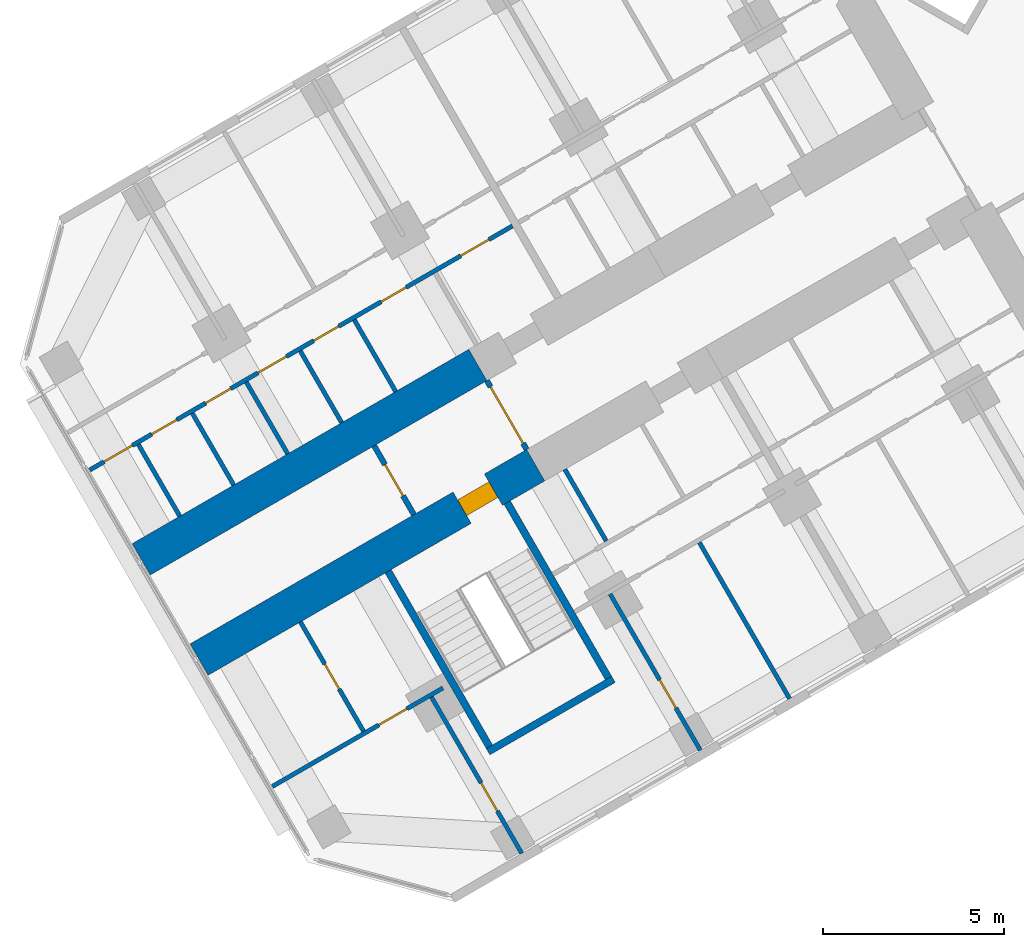
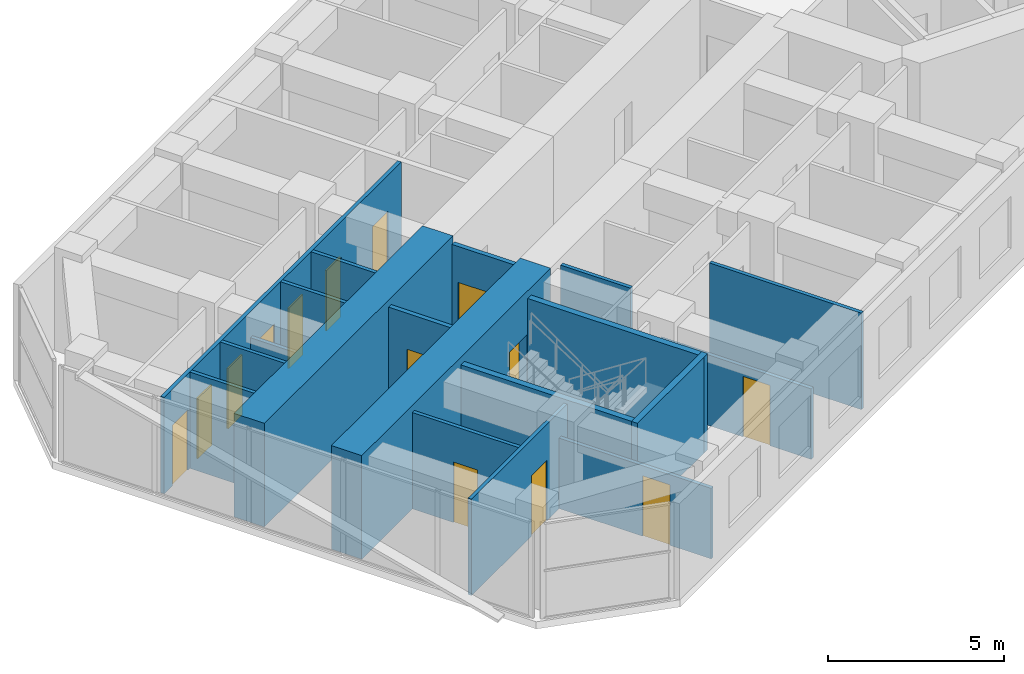
# One storey, part 10 of 22: 19 walls, 14 doors, 14 openings.
"""IFC4 building model written with IfcOpenShell, lengths in metres."""

from ifc_helpers import new_model, si_unit, direction, frame, frame_2d, origin, place, context, subcontext, project, spatial, rectangle, extrude, material, layer, layer_set, type_object, element, fill, save


model = new_model("IFC4")

# Units and contexts
model_context = context("Model", 3, precision=1e-05, world=origin(), true_north=direction((0.0, 1.0)))
body_context = subcontext(model_context, "Body", "Model", "MODEL_VIEW")
ifc_project = project(units=[si_unit("LENGTHUNIT", "METRE"), si_unit("AREAUNIT", "SQUARE_METRE"), si_unit("VOLUMEUNIT", "CUBIC_METRE"), si_unit("PLANEANGLEUNIT", "RADIAN"), si_unit("MASSUNIT", "GRAM", prefix="KILO")], contexts=[model_context])

# Site, building, storey
site_placement = place(None, origin())
site = spatial("IfcSite", under=ifc_project, at=site_placement, CompositionType="ELEMENT")
building_placement = place(site_placement, origin())
building = spatial("IfcBuilding", under=site, at=building_placement, Name="Kosmar Iwan School Tower", CompositionType="ELEMENT")
storey_placement = place(building_placement, frame((0.0, 0.0, 95.199951171875)))
storey = spatial("IfcBuildingStorey", under=building, at=storey_placement, Name="L23", CompositionType="ELEMENT", Elevation=95.199951171875)

# Wall, opening, door
ifc_material_1 = material(Name="Concrete C50/60", Category="concrete")
ifc_layer_1 = layer(ifc_material_1, 1.0)
ifc_layer_set_1 = layer_set([ifc_layer_1], Name="Corridor buttress wall 1000")
wall_type_1 = type_object("IfcWallType", Name="Corridor buttress wall 1000", PredefinedType="SHEAR", material=ifc_layer_set_1)
wall_1_placement = place(storey_placement, frame((-19.681396484375, -13.210693359375, 0.0), z_axis=(0.0, 0.0, 1.0), x_axis=(-0.866028186671, -0.499995179869, 0.0)))
wall_1 = element("IfcWall", 1, at=wall_1_placement, inside=storey, type_object=wall_type_1, Name="Corridor wall BL bay 3", PredefinedType="SHEAR", context=body_context, shape_type="SweptSolid", body=[
    extrude(rectangle(XDim=10.7451171875, YDim=1.0, at=frame_2d((5.37255859375, 0.0))), origin(), (0.0, 0.0, 1.0), 3.60009765625),
])
opening_1_placement = place(wall_1_placement, frame((1.35009765625, 0.0, 0.0)))
opening_1 = element("IfcOpeningElement", 2, at=opening_1_placement, cuts=wall_1, Name="Opening D6", PredefinedType="OPENING", context=body_context, shape_type="SweptSolid", body=[
    extrude(rectangle(XDim=1.0, YDim=2.10009765625, at=frame_2d((0.5, 1.050048828125))), frame((0.0, 0.511962890625, 0.0), z_axis=(0.0, -1.0, 0.0), x_axis=(1.0, 0.0, 0.0)), (0.0, 0.0, 1.0), 1.02392578125),
])
ifc_material_2 = material(Name="Steel fire door", Category="steel")
door_type_1 = type_object("IfcDoorType", Name="Stair door 1000x2100", OperationType="SINGLE_SWING_LEFT", PredefinedType="DOOR", material=ifc_material_2)
door_1_placement = place(opening_1_placement, origin())
door_1 = element("IfcDoor", 3, at=door_1_placement, inside=storey, type_object=door_type_1, Name="Stair WS2 door L23", OperationType="SINGLE_SWING_LEFT", OverallHeight=2.10009765625, OverallWidth=1.0, PredefinedType="DOOR", context=body_context, shape_type="SweptSolid", body=[
    extrude(rectangle(XDim=1.0, YDim=2.10009765625, at=frame_2d((0.5, 1.050048828125))), frame((0.0, 0.25, 0.0), z_axis=(0.0, -1.0, 0.0), x_axis=(1.0, 0.0, 0.0)), (0.0, 0.0, 1.0), 0.5),
])
fill(opening_1, door_1)

# Wall
wall_2_placement = place(storey_placement, frame((-21.281494140625, -10.439453125, 0.0), z_axis=(0.0, 0.0, 1.0), x_axis=(-0.866032345022, -0.499987977232, 0.0)))
element("IfcWall", 4, at=wall_2_placement, inside=storey, type_object=wall_type_1, Name="Corridor wall BR bay 3", PredefinedType="SHEAR", context=body_context, shape_type="SweptSolid", body=[
    extrude(rectangle(XDim=10.744873046875, YDim=1.0, at=frame_2d((5.37255859375, 0.0))), origin(), (0.0, 0.0, 1.0), 3.60009765625),
])

# Wall, opening, door
ifc_material_3 = material(Name="Gypsum board on steel studs, fire-rated", Category="steel")
ifc_layer_2 = layer(ifc_material_3, 0.14990234375)
ifc_layer_set_2 = layer_set([ifc_layer_2], Name="Corridor end wall 150")
wall_type_2 = type_object("IfcWallType", Name="Corridor end wall 150", PredefinedType="PARTITIONING", material=ifc_layer_set_2)
wall_3_placement = place(storey_placement, frame((-24.149169921875, -12.67236328125, 0.0), z_axis=(0.0, 0.0, 1.0), x_axis=(0.50002983664, -0.866008176907, 0.0)))
wall_3 = element("IfcWall", 5, at=wall_3_placement, inside=storey, type_object=wall_type_2, Name="Partition L23-B-CE", PredefinedType="PARTITIONING", context=body_context, shape_type="SweptSolid", body=[
    extrude(rectangle(XDim=2.199951171875, YDim=0.14990234375, at=frame_2d((1.10009765625, 0.0))), origin(), (0.0, 0.0, 1.0), 3.35009765625),
])
opening_2_placement = place(wall_3_placement, frame((0.60009765625, 0.0, 0.0)))
opening_2 = element("IfcOpeningElement", 6, at=opening_2_placement, cuts=wall_3, Name="Opening D13", PredefinedType="OPENING", context=body_context, shape_type="SweptSolid", body=[
    extrude(rectangle(XDim=1.0, YDim=2.10009765625, at=frame_2d((0.5, 1.050048828125))), frame((0.0, 0.0869140625, 0.0), z_axis=(0.0, -1.0, 0.0), x_axis=(1.0, 0.0, 0.0)), (0.0, 0.0, 1.0), 0.173828125),
])
ifc_material_4 = material(Name="Timber fire door with vision panel", Category="wood")
door_type_2 = type_object("IfcDoorType", Name="Corridor end door 1000x2100", OperationType="SINGLE_SWING_LEFT", PredefinedType="DOOR", material=ifc_material_4)
door_2_placement = place(opening_2_placement, origin())
door_2 = element("IfcDoor", 7, at=door_2_placement, inside=storey, type_object=door_type_2, Name="Reading room door L23-B", OperationType="SINGLE_SWING_LEFT", OverallHeight=2.10009765625, OverallWidth=1.0, PredefinedType="DOOR", context=body_context, shape_type="SweptSolid", body=[
    extrude(rectangle(XDim=1.0, YDim=2.10009765625, at=frame_2d((0.5, 1.050048828125))), frame((0.0, 0.02490234375, 0.0), z_axis=(0.0, -1.0, 0.0), x_axis=(1.0, 0.0, 0.0)), (0.0, 0.0, 1.0), 0.050048828125),
])
fill(opening_2, door_2)

wall_4_placement = place(storey_placement, frame((-21.031494140625, -10.872314453125, 0.0), z_axis=(0.0, 0.0, 1.0), x_axis=(0.50002983664, -0.866008176907, 0.0)))
wall_4 = element("IfcWall", 8, at=wall_4_placement, inside=storey, type_object=wall_type_2, Name="Partition L23-B-HW", PredefinedType="PARTITIONING", context=body_context, shape_type="SweptSolid", body=[
    extrude(rectangle(XDim=2.199951171875, YDim=0.14990234375, at=frame_2d((1.10009765625, 0.0))), origin(), (0.0, 0.0, 1.0), 3.35009765625),
])
opening_3_placement = place(wall_4_placement, frame((0.199951171875, 0.0, 0.0)))
opening_3 = element("IfcOpeningElement", 9, at=opening_3_placement, cuts=wall_4, Name="Opening D9", PredefinedType="OPENING", context=body_context, shape_type="SweptSolid", body=[
    extrude(rectangle(XDim=1.800048828125, YDim=2.10009765625, at=frame_2d((0.89990234375, 1.050048828125))), frame((0.0, 0.0869140625, 0.0), z_axis=(0.0, -1.0, 0.0), x_axis=(1.0, 0.0, 0.0)), (0.0, 0.0, 1.0), 0.173828125),
])
ifc_material_5 = material(Name="Steel framed glazed smoke door", Category="steel")
door_type_3 = type_object("IfcDoorType", Name="Corridor smoke door pair 1800x2100", OperationType="DOUBLE_DOOR_DOUBLE_SWING", PredefinedType="DOOR", material=ifc_material_5)
door_3_placement = place(opening_3_placement, origin())
door_3 = element("IfcDoor", 10, at=door_3_placement, inside=storey, type_object=door_type_3, Name="Entrance vestibule smoke doors L23-B", OperationType="DOUBLE_DOOR_DOUBLE_SWING", OverallHeight=2.10009765625, OverallWidth=1.800048828125, PredefinedType="DOOR", context=body_context, shape_type="SweptSolid", body=[
    extrude(rectangle(XDim=1.800048828125, YDim=2.10009765625, at=frame_2d((0.89990234375, 1.050048828125))), frame((0.0, 0.02490234375, 0.0), z_axis=(0.0, -1.0, 0.0), x_axis=(1.0, 0.0, 0.0)), (0.0, 0.0, 1.0), 0.050048828125),
])
fill(opening_3, door_3)

# Walls
ifc_material_6 = material(Name="Gypsum board on steel studs", Category="steel")
ifc_layer_3 = layer(ifc_material_6, 0.1201171875)
ifc_layer_set_3 = layer_set([ifc_layer_3], Name="Dwelling partition 120")
wall_type_3 = type_object("IfcWallType", Name="Dwelling partition 120", PredefinedType="PARTITIONING", material=ifc_layer_set_3)
wall_5_placement = place(storey_placement, frame((-15.158447265625, -15.344970703125, 0.0), z_axis=(0.0, 0.0, 1.0), x_axis=(0.500011847778, -0.866018563358, 0.0)))
element("IfcWall", 11, at=wall_5_placement, inside=storey, type_object=wall_type_3, Name="Partition L23-BL2-X1", PredefinedType="PARTITIONING", context=body_context, shape_type="SweptSolid", body=[
    extrude(rectangle(XDim=4.990234375, YDim=0.1201171875, at=frame_2d((2.4951171875, 0.0))), origin(), (0.0, 0.0, 1.0), 3.35009765625),
])
wall_6_placement = place(storey_placement, frame((-18.877197265625, -13.32373046875, 0.0), z_axis=(0.0, 0.0, 1.0), x_axis=(0.500014693593, -0.866016920268, 0.0)))
element("IfcWall", 12, at=wall_6_placement, inside=storey, type_object=wall_type_3, Name="Partition L23-BL2-Y2", PredefinedType="PARTITIONING", context=body_context, shape_type="SweptSolid", body=[
    extrude(rectangle(XDim=2.2900390625, YDim=0.1201171875, at=frame_2d((1.14501953125, 0.0))), origin(), (0.0, 0.0, 1.0), 3.35009765625),
])

# Wall, opening, door
wall_7_placement = place(storey_placement, frame((-17.62646484375, -16.77001953125, 0.0), z_axis=(0.0, 0.0, 1.0), x_axis=(0.499975153383, -0.86603974851, 0.0)))
wall_7 = element("IfcWall", 13, at=wall_7_placement, inside=storey, type_object=wall_type_3, Name="Partition L23-BL2-TB", PredefinedType="PARTITIONING", context=body_context, shape_type="SweptSolid", body=[
    extrude(rectangle(XDim=4.989990234375, YDim=0.1201171875, at=frame_2d((2.4951171875, 0.0))), origin(), (0.0, 0.0, 1.0), 2.449951171875),
])
opening_4_placement = place(wall_7_placement, frame((2.739990234375, 0.0, 0.0)))
opening_4 = element("IfcOpeningElement", 14, at=opening_4_placement, cuts=wall_7, Name="Opening D2", PredefinedType="OPENING", context=body_context, shape_type="SweptSolid", body=[
    extrude(rectangle(XDim=0.89990234375, YDim=2.10009765625, at=frame_2d((0.449951171875, 1.050048828125))), frame((0.0, 0.072021484375, 0.0), z_axis=(0.0, -1.0, 0.0), x_axis=(1.0, 0.0, 0.0)), (0.0, 0.0, 1.0), 0.14404296875),
])
ifc_material_7 = material(Name="Timber door in timber frame", Category="wood")
door_type_4 = type_object("IfcDoorType", Name="Internal door 900x2100", OperationType="SINGLE_SWING_LEFT", PredefinedType="DOOR", material=ifc_material_7)
door_4_placement = place(opening_4_placement, origin())
door_4 = element("IfcDoor", 15, at=door_4_placement, inside=storey, type_object=door_type_4, Name="Study door L23-BL2-F2", OperationType="SINGLE_SWING_RIGHT", OverallHeight=2.10009765625, OverallWidth=0.89990234375, PredefinedType="DOOR", context=body_context, shape_type="SweptSolid", body=[
    extrude(rectangle(XDim=0.89990234375, YDim=2.10009765625, at=frame_2d((0.449951171875, 1.050048828125))), frame((0.0, 0.02490234375, 0.0), z_axis=(0.0, -1.0, 0.0), x_axis=(1.0, 0.0, 0.0)), (0.0, 0.0, 1.0), 0.050048828125),
])
fill(opening_4, door_4)

wall_8_placement = place(storey_placement, frame((-22.562744140625, -19.6201171875, 0.0), z_axis=(0.0, 0.0, 1.0), x_axis=(0.499996339024, -0.86602751744, 0.0)))
wall_8 = element("IfcWall", 16, at=wall_8_placement, inside=storey, type_object=wall_type_3, Name="Partition L23-BL2-TX", PredefinedType="PARTITIONING", context=body_context, shape_type="SweptSolid", body=[
    extrude(rectangle(XDim=4.98974609375, YDim=0.1201171875, at=frame_2d((2.494873046875, 0.0))), origin(), (0.0, 0.0, 1.0), 2.449951171875),
])
opening_5_placement = place(wall_8_placement, frame((2.739990234375, 0.0, 0.0)))
opening_5 = element("IfcOpeningElement", 17, at=opening_5_placement, cuts=wall_8, Name="Opening D2", PredefinedType="OPENING", context=body_context, shape_type="SweptSolid", body=[
    extrude(rectangle(XDim=0.89990234375, YDim=2.10009765625, at=frame_2d((0.449951171875, 1.050048828125))), frame((0.0, 0.072021484375, 0.0), z_axis=(0.0, -1.0, 0.0), x_axis=(1.0, 0.0, 0.0)), (0.0, 0.0, 1.0), 0.14404296875),
])
door_5_placement = place(opening_5_placement, origin())
door_5 = element("IfcDoor", 18, at=door_5_placement, inside=storey, type_object=door_type_4, Name="Study door L23-BL2-T1", OperationType="SINGLE_SWING_RIGHT", OverallHeight=2.10009765625, OverallWidth=0.89990234375, PredefinedType="DOOR", context=body_context, shape_type="SweptSolid", body=[
    extrude(rectangle(XDim=0.89990234375, YDim=2.10009765625, at=frame_2d((0.449951171875, 1.050048828125))), frame((0.0, 0.02490234375, 0.0), z_axis=(0.0, -1.0, 0.0), x_axis=(1.0, 0.0, 0.0)), (0.0, 0.0, 1.0), 0.050048828125),
])
fill(opening_5, door_5)

wall_9_placement = place(storey_placement, frame((-22.246337890625, -19.3681640625, 0.0), z_axis=(0.0, 0.0, 1.0), x_axis=(-0.866035508231, -0.499982498177, 0.0)))
wall_9 = element("IfcWall", 19, at=wall_9_placement, inside=storey, type_object=wall_type_3, Name="Partition L23-BL2-TW", PredefinedType="PARTITIONING", context=body_context, shape_type="SweptSolid", body=[
    extrude(rectangle(XDim=5.445068359375, YDim=0.1201171875, at=frame_2d((2.72265625, 0.0))), origin(), (0.0, 0.0, 1.0), 3.35009765625),
])
opening_6_placement = place(wall_9_placement, frame((1.14990234375, 0.0, 0.0)))
opening_6 = element("IfcOpeningElement", 20, at=opening_6_placement, cuts=wall_9, Name="Opening D2", PredefinedType="OPENING", context=body_context, shape_type="SweptSolid", body=[
    extrude(rectangle(XDim=0.89990234375, YDim=2.10009765625, at=frame_2d((0.449951171875, 1.050048828125))), frame((0.0, 0.072021484375, 0.0), z_axis=(0.0, -1.0, 0.0), x_axis=(1.0, 0.0, 0.0)), (0.0, 0.0, 1.0), 0.14404296875),
])
door_6_placement = place(opening_6_placement, origin())
door_6 = element("IfcDoor", 21, at=door_6_placement, inside=storey, type_object=door_type_4, Name="Dressing room door L23-BL2-T3", OperationType="SINGLE_SWING_LEFT", OverallHeight=2.10009765625, OverallWidth=0.89990234375, PredefinedType="DOOR", context=body_context, shape_type="SweptSolid", body=[
    extrude(rectangle(XDim=0.89990234375, YDim=2.10009765625, at=frame_2d((0.449951171875, 1.050048828125))), frame((0.0, 0.02490234375, 0.0), z_axis=(0.0, -1.0, 0.0), x_axis=(1.0, 0.0, 0.0)), (0.0, 0.0, 1.0), 0.050048828125),
])
fill(opening_6, door_6)

wall_10_placement = place(storey_placement, frame((-26.1865234375, -17.543701171875, 0.0), z_axis=(0.0, 0.0, 1.0), x_axis=(0.50002117804, -0.866013176292, 0.0)))
wall_10 = element("IfcWall", 22, at=wall_10_placement, inside=storey, type_object=wall_type_3, Name="Partition L23-BL2-TY", PredefinedType="PARTITIONING", context=body_context, shape_type="SweptSolid", body=[
    extrude(rectangle(XDim=3.489990234375, YDim=0.1201171875, at=frame_2d((1.7451171875, 0.0))), origin(), (0.0, 0.0, 1.0), 3.35009765625),
])
opening_7_placement = place(wall_10_placement, frame((1.344970703125, 0.0, 0.0)))
opening_7 = element("IfcOpeningElement", 23, at=opening_7_placement, cuts=wall_10, Name="Opening D3", PredefinedType="OPENING", context=body_context, shape_type="SweptSolid", body=[
    extrude(rectangle(XDim=0.800048828125, YDim=2.10009765625, at=frame_2d((0.39990234375, 1.050048828125))), frame((0.0, 0.072021484375, 0.0), z_axis=(0.0, -1.0, 0.0), x_axis=(1.0, 0.0, 0.0)), (0.0, 0.0, 1.0), 0.14404296875),
])
ifc_material_8 = material(Name="Timber door in timber frame", Category="wood")
door_type_5 = type_object("IfcDoorType", Name="Sanitary room door 800x2100", OperationType="SINGLE_SWING_LEFT", PredefinedType="DOOR", material=ifc_material_8)
door_7_placement = place(opening_7_placement, origin())
door_7 = element("IfcDoor", 24, at=door_7_placement, inside=storey, type_object=door_type_5, Name="Shower room door L23-BL2-T4", OperationType="SINGLE_SWING_LEFT", OverallHeight=2.10009765625, OverallWidth=0.800048828125, PredefinedType="DOOR", context=body_context, shape_type="SweptSolid", body=[
    extrude(rectangle(XDim=0.800048828125, YDim=2.10009765625, at=frame_2d((0.39990234375, 1.050048828125))), frame((0.0, 0.02490234375, 0.0), z_axis=(0.0, -1.0, 0.0), x_axis=(1.0, 0.0, 0.0)), (0.0, 0.0, 1.0), 0.050048828125),
])
fill(opening_7, door_7)

# Wall, openings, doors
wall_11_placement = place(storey_placement, frame((-20.324951171875, -6.59619140625, 0.0), z_axis=(0.0, 0.0, 1.0), x_axis=(-0.866023503214, -0.50000329187, 0.0)))
wall_11 = element("IfcWall", 25, at=wall_11_placement, inside=storey, type_object=wall_type_3, Name="Partition L23-BR2-W1", PredefinedType="PARTITIONING", context=body_context, shape_type="SweptSolid", body=[
    extrude(rectangle(XDim=13.4951171875, YDim=0.1201171875, at=frame_2d((6.74755859375, 0.0))), origin(), (0.0, 0.0, 1.0), 3.35009765625),
])
opening_8_placement = place(wall_11_placement, frame((0.75, 0.0, 0.0)))
opening_8 = element("IfcOpeningElement", 26, at=opening_8_placement, cuts=wall_11, Name="Opening D2", PredefinedType="OPENING", context=body_context, shape_type="SweptSolid", body=[
    extrude(rectangle(XDim=0.89990234375, YDim=2.10009765625, at=frame_2d((0.449951171875, 1.050048828125))), frame((0.0, 0.072021484375, 0.0), z_axis=(0.0, -1.0, 0.0), x_axis=(1.0, 0.0, 0.0)), (0.0, 0.0, 1.0), 0.14404296875),
])
opening_9_placement = place(wall_11_placement, frame((3.392333984375, 0.0, 0.0)))
opening_9 = element("IfcOpeningElement", 27, at=opening_9_placement, cuts=wall_11, Name="Opening D3", PredefinedType="OPENING", context=body_context, shape_type="SweptSolid", body=[
    extrude(rectangle(XDim=0.800048828125, YDim=2.10009765625, at=frame_2d((0.39990234375, 1.050048828125))), frame((0.0, 0.072021484375, 0.0), z_axis=(0.0, -1.0, 0.0), x_axis=(1.0, 0.0, 0.0)), (0.0, 0.0, 1.0), 0.14404296875),
])
opening_10_placement = place(wall_11_placement, frame((5.546142578125, 0.0, 0.0)))
opening_10 = element("IfcOpeningElement", 28, at=opening_10_placement, cuts=wall_11, Name="Opening D3", PredefinedType="OPENING", context=body_context, shape_type="SweptSolid", body=[
    extrude(rectangle(XDim=0.800048828125, YDim=2.10009765625, at=frame_2d((0.39990234375, 1.050048828125))), frame((0.0, 0.072021484375, 0.0), z_axis=(0.0, -1.0, 0.0), x_axis=(1.0, 0.0, 0.0)), (0.0, 0.0, 1.0), 0.14404296875),
])
opening_11_placement = place(wall_11_placement, frame((7.21923828125, 0.0, 0.0)))
opening_11 = element("IfcOpeningElement", 29, at=opening_11_placement, cuts=wall_11, Name="Opening D2", PredefinedType="OPENING", context=body_context, shape_type="SweptSolid", body=[
    extrude(rectangle(XDim=0.89990234375, YDim=2.10009765625, at=frame_2d((0.449951171875, 1.050048828125))), frame((0.0, 0.072021484375, 0.0), z_axis=(0.0, -1.0, 0.0), x_axis=(1.0, 0.0, 0.0)), (0.0, 0.0, 1.0), 0.14404296875),
])
opening_12_placement = place(wall_11_placement, frame((8.992431640625, 0.0, 0.0)))
opening_12 = element("IfcOpeningElement", 30, at=opening_12_placement, cuts=wall_11, Name="Opening D3", PredefinedType="OPENING", context=body_context, shape_type="SweptSolid", body=[
    extrude(rectangle(XDim=0.800048828125, YDim=2.10009765625, at=frame_2d((0.39990234375, 1.050048828125))), frame((0.0, 0.072021484375, 0.0), z_axis=(0.0, -1.0, 0.0), x_axis=(1.0, 0.0, 0.0)), (0.0, 0.0, 1.0), 0.14404296875),
])
opening_13_placement = place(wall_11_placement, frame((10.71533203125, 0.0, 0.0)))
opening_13 = element("IfcOpeningElement", 31, at=opening_13_placement, cuts=wall_11, Name="Opening D3", PredefinedType="OPENING", context=body_context, shape_type="SweptSolid", body=[
    extrude(rectangle(XDim=0.800048828125, YDim=2.10009765625, at=frame_2d((0.39990234375, 1.050048828125))), frame((0.0, 0.072021484375, 0.0), z_axis=(0.0, -1.0, 0.0), x_axis=(1.0, 0.0, 0.0)), (0.0, 0.0, 1.0), 0.14404296875),
])
opening_14_placement = place(wall_11_placement, frame((12.136962890625, 0.0, 0.0)))
opening_14 = element("IfcOpeningElement", 32, at=opening_14_placement, cuts=wall_11, Name="Opening D2", PredefinedType="OPENING", context=body_context, shape_type="SweptSolid", body=[
    extrude(rectangle(XDim=0.89990234375, YDim=2.10009765625, at=frame_2d((0.449951171875, 1.050048828125))), frame((0.0, 0.072021484375, 0.0), z_axis=(0.0, -1.0, 0.0), x_axis=(1.0, 0.0, 0.0)), (0.0, 0.0, 1.0), 0.14404296875),
])
door_8_placement = place(opening_8_placement, origin())
door_8 = element("IfcDoor", 33, at=door_8_placement, inside=storey, type_object=door_type_4, Name="Entrance hall door L23-BR2-S1", OperationType="SINGLE_SWING_RIGHT", OverallHeight=2.10009765625, OverallWidth=0.89990234375, PredefinedType="DOOR", context=body_context, shape_type="SweptSolid", body=[
    extrude(rectangle(XDim=0.89990234375, YDim=2.10009765625, at=frame_2d((0.449951171875, 1.050048828125))), frame((0.0, 0.02490234375, 0.0), z_axis=(0.0, -1.0, 0.0), x_axis=(1.0, 0.0, 0.0)), (0.0, 0.0, 1.0), 0.050048828125),
])
fill(opening_8, door_8)
door_9_placement = place(opening_11_placement, origin())
door_9 = element("IfcDoor", 34, at=door_9_placement, inside=storey, type_object=door_type_4, Name="Pantry door L23-BR2-S4", OperationType="SINGLE_SWING_LEFT", OverallHeight=2.10009765625, OverallWidth=0.89990234375, PredefinedType="DOOR", context=body_context, shape_type="SweptSolid", body=[
    extrude(rectangle(XDim=0.89990234375, YDim=2.10009765625, at=frame_2d((0.449951171875, 1.050048828125))), frame((0.0, 0.02490234375, 0.0), z_axis=(0.0, -1.0, 0.0), x_axis=(1.0, 0.0, 0.0)), (0.0, 0.0, 1.0), 0.050048828125),
])
fill(opening_11, door_9)
door_10_placement = place(opening_14_placement, origin())
door_10 = element("IfcDoor", 35, at=door_10_placement, inside=storey, type_object=door_type_4, Name="Utility room door L23-BR2-S7", OperationType="SINGLE_SWING_LEFT", OverallHeight=2.10009765625, OverallWidth=0.89990234375, PredefinedType="DOOR", context=body_context, shape_type="SweptSolid", body=[
    extrude(rectangle(XDim=0.89990234375, YDim=2.10009765625, at=frame_2d((0.449951171875, 1.050048828125))), frame((0.0, 0.02490234375, 0.0), z_axis=(0.0, -1.0, 0.0), x_axis=(1.0, 0.0, 0.0)), (0.0, 0.0, 1.0), 0.050048828125),
])
fill(opening_14, door_10)
door_11_placement = place(opening_9_placement, origin())
door_11 = element("IfcDoor", 36, at=door_11_placement, inside=storey, type_object=door_type_5, Name="Bathroom door L23-BR2-S2", OperationType="SINGLE_SWING_LEFT", OverallHeight=2.10009765625, OverallWidth=0.800048828125, PredefinedType="DOOR", context=body_context, shape_type="SweptSolid", body=[
    extrude(rectangle(XDim=0.800048828125, YDim=2.10009765625, at=frame_2d((0.39990234375, 1.050048828125))), frame((0.0, 0.02490234375, 0.0), z_axis=(0.0, -1.0, 0.0), x_axis=(1.0, 0.0, 0.0)), (0.0, 0.0, 1.0), 0.050048828125),
])
fill(opening_9, door_11)
door_12_placement = place(opening_10_placement, origin())
door_12 = element("IfcDoor", 37, at=door_12_placement, inside=storey, type_object=door_type_5, Name="Shower room door L23-BR2-S3", OperationType="SINGLE_SWING_RIGHT", OverallHeight=2.10009765625, OverallWidth=0.800048828125, PredefinedType="DOOR", context=body_context, shape_type="SweptSolid", body=[
    extrude(rectangle(XDim=0.800048828125, YDim=2.10009765625, at=frame_2d((0.39990234375, 1.050048828125))), frame((0.0, 0.02490234375, 0.0), z_axis=(0.0, -1.0, 0.0), x_axis=(1.0, 0.0, 0.0)), (0.0, 0.0, 1.0), 0.050048828125),
])
fill(opening_10, door_12)
door_13_placement = place(opening_12_placement, origin())
door_13 = element("IfcDoor", 38, at=door_13_placement, inside=storey, type_object=door_type_5, Name="WC door L23-BR2-S5", OperationType="SINGLE_SWING_RIGHT", OverallHeight=2.10009765625, OverallWidth=0.800048828125, PredefinedType="DOOR", context=body_context, shape_type="SweptSolid", body=[
    extrude(rectangle(XDim=0.800048828125, YDim=2.10009765625, at=frame_2d((0.39990234375, 1.050048828125))), frame((0.0, 0.02490234375, 0.0), z_axis=(0.0, -1.0, 0.0), x_axis=(1.0, 0.0, 0.0)), (0.0, 0.0, 1.0), 0.050048828125),
])
fill(opening_12, door_13)
door_14_placement = place(opening_13_placement, origin())
door_14 = element("IfcDoor", 39, at=door_14_placement, inside=storey, type_object=door_type_5, Name="Store door L23-BR2-S6", OperationType="SINGLE_SWING_LEFT", OverallHeight=2.10009765625, OverallWidth=0.800048828125, PredefinedType="DOOR", context=body_context, shape_type="SweptSolid", body=[
    extrude(rectangle(XDim=0.800048828125, YDim=2.10009765625, at=frame_2d((0.39990234375, 1.050048828125))), frame((0.0, 0.02490234375, 0.0), z_axis=(0.0, -1.0, 0.0), x_axis=(1.0, 0.0, 0.0)), (0.0, 0.0, 1.0), 0.050048828125),
])
fill(opening_13, door_14)

# Walls
for number, where, z_axis, x_axis, name in (
    (40, (-23.55322265625, -11.173583984375, 0.0), (0.0, 0.0, 1.0), (-0.500014693593, 0.866016920268, 0.0), "Partition L23-BR2-Y2"),
    (41, (-25.045654296875, -12.03515625, 0.0), (0.0, 0.0, 1.0), (-0.500014693593, 0.866016920268, 0.0), "Partition L23-BR2-Y3"),
):
    element("IfcWall", number, at=place(storey_placement, frame(where, z_axis=z_axis, x_axis=x_axis)), inside=storey, type_object=wall_type_3, Name=name, PredefinedType="PARTITIONING", context=body_context, shape_type="SweptSolid", body=[
        extrude(rectangle(XDim=2.2900390625, YDim=0.1201171875, at=frame_2d((1.14501953125, 0.0))), origin(), (0.0, 0.0, 1.0), 3.35009765625),
    ])
wall_12_placement = place(storey_placement, frame((-26.537841796875, -12.896728515625, 0.0), z_axis=(0.0, 0.0, 1.0), x_axis=(-0.500014693593, 0.866016920268, 0.0)))
element("IfcWall", 42, at=wall_12_placement, inside=storey, type_object=wall_type_3, Name="Partition L23-BR2-Y4", PredefinedType="PARTITIONING", context=body_context, shape_type="SweptSolid", body=[
    extrude(rectangle(XDim=2.2900390625, YDim=0.1201171875, at=frame_2d((1.14501953125, 0.0))), origin(), (0.0, 0.0, 1.0), 2.449951171875),
])
for number, where, z_axis, x_axis, name in (
    (43, (-28.030029296875, -13.75830078125, 0.0), (0.0, 0.0, 1.0), (-0.500014693593, 0.866016920268, 0.0), "Partition L23-BR2-Y5"),
    (44, (-29.522216796875, -14.619873046875, 0.0), (0.0, 0.0, 1.0), (-0.500014693593, 0.866016920268, 0.0), "Partition L23-BR2-Y6"),
):
    element("IfcWall", number, at=place(storey_placement, frame(where, z_axis=z_axis, x_axis=x_axis)), inside=storey, type_object=wall_type_3, Name=name, PredefinedType="PARTITIONING", context=body_context, shape_type="SweptSolid", body=[
        extrude(rectangle(XDim=2.2900390625, YDim=0.1201171875, at=frame_2d((1.14501953125, 0.0))), origin(), (0.0, 0.0, 1.0), 3.35009765625),
    ])
ifc_material_9 = material(Name="Concrete C35/45", Category="concrete")
ifc_layer_4 = layer(ifc_material_9, 0.199951171875)
ifc_layer_set_4 = layer_set([ifc_layer_4], Name="Escape stair wall 200")
wall_type_4 = type_object("IfcWallType", Name="Escape stair wall 200", PredefinedType="SHEAR", material=ifc_layer_set_4)
for number, where, z_axis, x_axis, name in (
    (45, (-20.470703125, -14.24365234375, 0.0), (0.0, 0.0, 1.0), (0.499987231761, -0.866032775405, 0.0), "Stair WS2 wall"),
    (46, (-23.76171875, -16.1435546875, 0.0), (0.0, 0.0, 1.0), (0.500018801468, -0.86601454848, 0.0), "Stair WS2 wall"),
):
    element("IfcWall", number, at=place(storey_placement, frame(where, z_axis=z_axis, x_axis=x_axis)), inside=storey, type_object=wall_type_4, Name=name, PredefinedType="SHEAR", context=body_context, shape_type="SweptSolid", body=[
        extrude(rectangle(XDim=5.800048828125, YDim=0.199951171875, at=frame_2d((2.89990234375, 0.0))), origin(), (0.0, 0.0, 1.0), 3.330078125),
    ])
wall_13_placement = place(storey_placement, frame((-17.5341796875, -19.1298828125, 0.0), z_axis=(0.0, 0.0, 1.0), x_axis=(-0.866026010844, -0.49999894854, 0.0)))
element("IfcWall", 47, at=wall_13_placement, inside=storey, type_object=wall_type_4, Name="Stair WS2 wall", PredefinedType="SHEAR", context=body_context, shape_type="SweptSolid", body=[
    extrude(rectangle(XDim=4.0, YDim=0.199951171875, at=frame_2d((2.0, 0.0))), origin(), (0.0, 0.0, 1.0), 3.330078125),
])

save(model, "model.ifc")
